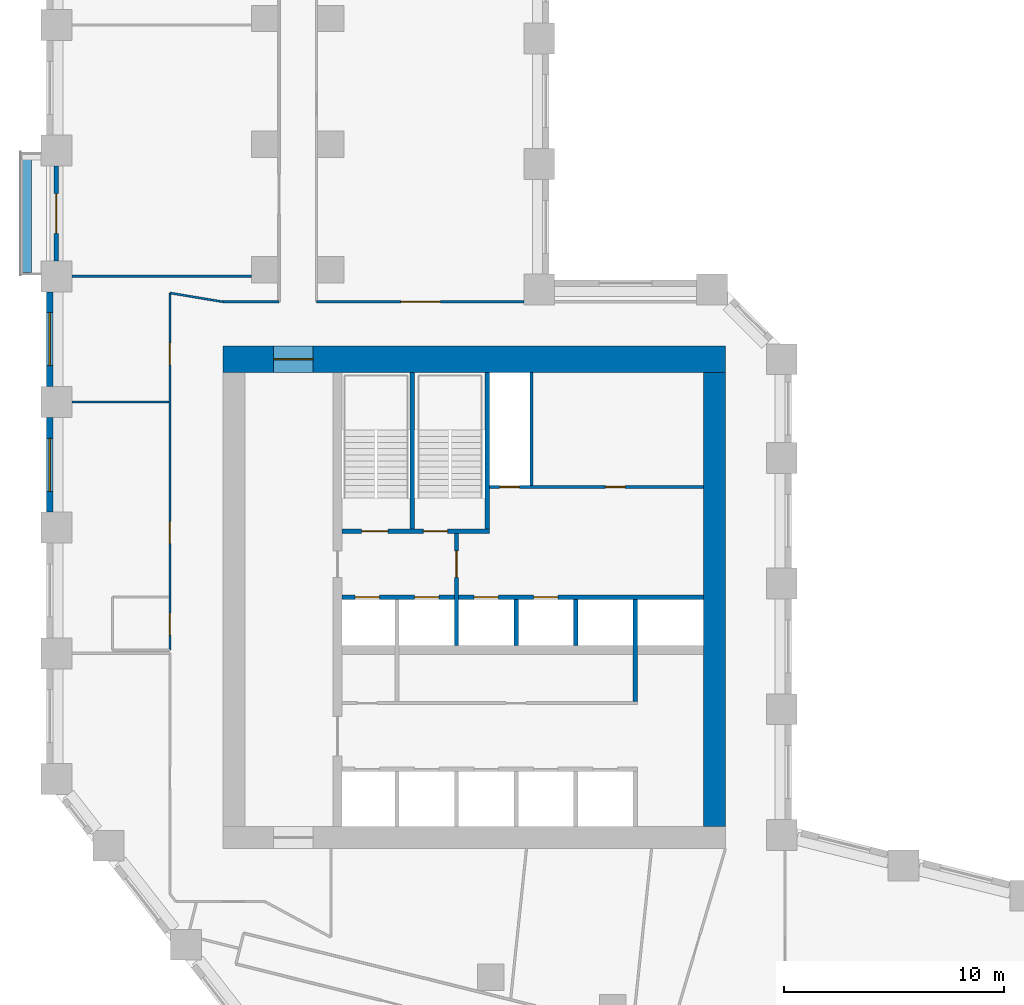
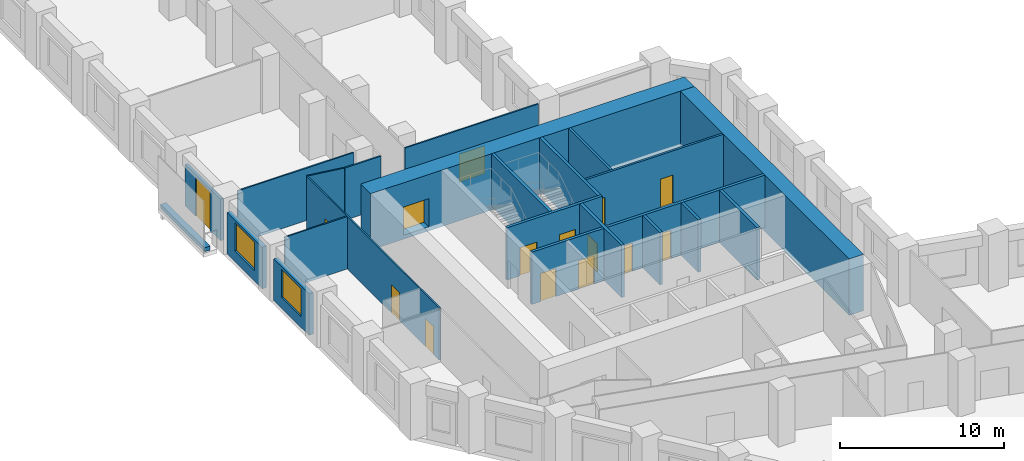
# One storey, part 5 of 11: 22 walls, 15 doors, 2 windows, 17 openings.
"""IFC4 building model written with IfcOpenShell, lengths in metres."""

from ifc_helpers import new_model, si_unit, direction, frame, frame_2d, origin, place, context, subcontext, project, spatial, rectangle, extrude, material, layer, layer_set, type_object, element, fill, save


model = new_model("IFC4")

# Units and contexts
model_context = context("Model", 3, precision=1e-05, world=origin(), true_north=direction((0.0, 1.0)))
body_context = subcontext(model_context, "Body", "Model", "MODEL_VIEW")
ifc_project = project(units=[si_unit("LENGTHUNIT", "METRE"), si_unit("AREAUNIT", "SQUARE_METRE"), si_unit("VOLUMEUNIT", "CUBIC_METRE"), si_unit("PLANEANGLEUNIT", "RADIAN"), si_unit("MASSUNIT", "GRAM", prefix="KILO")], contexts=[model_context])

# Site, building, storey
site_placement = place(None, origin())
site = spatial("IfcSite", under=ifc_project, at=site_placement, CompositionType="ELEMENT")
building_placement = place(site_placement, origin())
building = spatial("IfcBuilding", under=site, at=building_placement, Name="Meshkara Civic Tower", CompositionType="ELEMENT")
storey_placement = place(building_placement, frame((0.0, 0.0, 54.0)))
storey = spatial("IfcBuildingStorey", under=building, at=storey_placement, Name="L11", CompositionType="ELEMENT", Elevation=54.0)

# Wall, openings, doors
ifc_material_1 = material(Name="Blockwork", Category="masonry")
ifc_layer_1 = layer(ifc_material_1, 0.14990234375)
ifc_layer_set_1 = layer_set([ifc_layer_1], Name="Core partition 150")
wall_type_1 = type_object("IfcWallType", Name="Core partition 150", PredefinedType="PARTITIONING", material=ifc_layer_set_1)
wall_1_placement = place(storey_placement, frame((20.10009765625, 30.5, 0.0), z_axis=(0.0, 0.0, 1.0), x_axis=(1.0, 0.0, 0.0)))
wall_1 = element("IfcWall", 1, at=wall_1_placement, inside=storey, type_object=wall_type_1, Name="L11-C010", PredefinedType="PARTITIONING", context=body_context, shape_type="SweptSolid", body=[
    extrude(rectangle(XDim=9.699951171875, YDim=0.14990234375, at=frame_2d((4.85009765625, 0.0))), origin(), (0.0, 0.0, 1.0), 3.89990234375),
])
opening_1_placement = place(wall_1_placement, frame((0.449951171875, 0.0, 0.0)))
opening_1 = element("IfcOpeningElement", 2, at=opening_1_placement, cuts=wall_1, Name="Opening L11-K012", PredefinedType="OPENING", context=body_context, shape_type="SweptSolid", body=[
    extrude(rectangle(XDim=0.89990234375, YDim=2.10009765625, at=frame_2d((0.449951171875, 1.050048828125))), frame((0.0, 0.0849609375, 0.0), z_axis=(0.0, -1.0, 0.0), x_axis=(1.0, 0.0, 0.0)), (0.0, 0.0, 1.0), 0.169921875),
])
opening_2_placement = place(wall_1_placement, frame((5.25, 0.0, 0.0)))
opening_2 = element("IfcOpeningElement", 3, at=opening_2_placement, cuts=wall_1, Name="Opening L11-K013", PredefinedType="OPENING", context=body_context, shape_type="SweptSolid", body=[
    extrude(rectangle(XDim=0.89990234375, YDim=2.10009765625, at=frame_2d((0.449951171875, 1.050048828125))), frame((0.0, 0.0849609375, 0.0), z_axis=(0.0, -1.0, 0.0), x_axis=(1.0, 0.0, 0.0)), (0.0, 0.0, 1.0), 0.169921875),
])
ifc_material_2 = material(Name="Timber door leaf in steel frame", Category="steel")
door_type_1 = type_object("IfcDoorType", Name="Core room door 900", OperationType="SINGLE_SWING_LEFT", PredefinedType="DOOR", material=ifc_material_2)
door_1_placement = place(opening_2_placement, origin())
door_1 = element("IfcDoor", 4, at=door_1_placement, inside=storey, type_object=door_type_1, Name="L11-K013", OperationType="SINGLE_SWING_LEFT", OverallHeight=2.10009765625, OverallWidth=0.89990234375, PredefinedType="DOOR", context=body_context, shape_type="SweptSolid", body=[
    extrude(rectangle(XDim=0.89990234375, YDim=2.10009765625, at=frame_2d((0.449951171875, 1.050048828125))), frame((0.0, 0.02490234375, 0.0), z_axis=(0.0, -1.0, 0.0), x_axis=(1.0, 0.0, 0.0)), (0.0, 0.0, 1.0), 0.050048828125),
])
fill(opening_2, door_1)
ifc_material_3 = material(Name="Fire-rated door leaf in steel frame", Category="steel")
door_type_2 = type_object("IfcDoorType", Name="Riser door 900", OperationType="SINGLE_SWING_LEFT", PredefinedType="DOOR", material=ifc_material_3)
door_2_placement = place(opening_1_placement, origin())
door_2 = element("IfcDoor", 5, at=door_2_placement, inside=storey, type_object=door_type_2, Name="L11-K012", OperationType="SINGLE_SWING_RIGHT", OverallHeight=2.10009765625, OverallWidth=0.89990234375, PredefinedType="DOOR", context=body_context, shape_type="SweptSolid", body=[
    extrude(rectangle(XDim=0.89990234375, YDim=2.10009765625, at=frame_2d((0.449951171875, 1.050048828125))), frame((0.0, 0.02490234375, 0.0), z_axis=(0.0, -1.0, 0.0), x_axis=(1.0, 0.0, 0.0)), (0.0, 0.0, 1.0), 0.050048828125),
])
fill(opening_1, door_2)

# Walls
wall_2_placement = place(storey_placement, frame((22.0, 30.574951171875, 0.0), z_axis=(0.0, 0.0, 1.0), x_axis=(0.0, 1.0, 0.0)))
element("IfcWall", 6, at=wall_2_placement, inside=storey, type_object=wall_type_1, Name="L11-C020", PredefinedType="PARTITIONING", context=body_context, shape_type="SweptSolid", body=[
    extrude(rectangle(XDim=5.125, YDim=0.14990234375, at=frame_2d((2.5625, 0.0))), origin(), (0.0, 0.0, 1.0), 3.89990234375),
])
ifc_material_4 = material(Name="Concrete C80", Category="concrete")
ifc_layer_2 = layer(ifc_material_4, 1.0)
ifc_layer_set_2 = layer_set([ifc_layer_2], Name="Core ring wall 1000 C80")
wall_type_2 = type_object("IfcWallType", Name="Core ring wall 1000 C80", PredefinedType="SHEAR", material=ifc_layer_set_2)
wall_3_placement = place(storey_placement, frame((30.300048828125, 15.10009765625, -0.300048828125), z_axis=(0.0, 0.0, 1.0), x_axis=(0.0, 1.0, 0.0)))
element("IfcWall", 7, at=wall_3_placement, inside=storey, type_object=wall_type_2, Name="L11-C004", PredefinedType="SHEAR", context=body_context, shape_type="SweptSolid", body=[
    extrude(rectangle(XDim=20.599853515625, YDim=1.0, at=frame_2d((10.2998046875, 0.0))), origin(), (0.0, 0.0, 1.0), 4.199951171875),
])

# Wall, opening, door
ifc_material_5 = material(Name="Concrete C80", Category="concrete")
ifc_layer_3 = layer(ifc_material_5, 1.199951171875)
ifc_layer_set_3 = layer_set([ifc_layer_3], Name="Core ring wall 1200 C80")
wall_type_3 = type_object("IfcWallType", Name="Core ring wall 1200 C80", PredefinedType="SHEAR", material=ifc_layer_set_3)
wall_4_placement = place(storey_placement, frame((8.0, 36.300048828125, -0.300048828125), z_axis=(0.0, 0.0, 1.0), x_axis=(1.0, 0.0, 0.0)))
wall_4 = element("IfcWall", 8, at=wall_4_placement, inside=storey, type_object=wall_type_3, Name="L11-C002", PredefinedType="SHEAR", context=body_context, shape_type="SweptSolid", body=[
    extrude(rectangle(XDim=22.800048828125, YDim=1.199951171875, at=frame_2d((11.39990234375, 0.0))), origin(), (0.0, 0.0, 1.0), 4.199951171875),
])
opening_3_placement = place(wall_4_placement, frame((2.300048828125, 0.0, 0.300048828125)))
opening_3 = element("IfcOpeningElement", 9, at=opening_3_placement, cuts=wall_4, Name="Opening L11-K019", PredefinedType="OPENING", context=body_context, shape_type="SweptSolid", body=[
    extrude(rectangle(XDim=1.800048828125, YDim=2.10009765625, at=frame_2d((0.89990234375, 1.050048828125))), frame((0.0, 0.60986328125, 0.0), z_axis=(0.0, -1.0, 0.0), x_axis=(1.0, 0.0, 0.0)), (0.0, 0.0, 1.0), 1.219970703125),
])
ifc_material_6 = material(Name="Fire-rated door leaf in steel frame", Category="steel")
door_type_3 = type_object("IfcDoorType", Name="Core double door 1800 EI 60", OperationType="DOUBLE_DOOR_SINGLE_SWING", PredefinedType="DOOR", material=ifc_material_6)
door_3_placement = place(opening_3_placement, origin())
door_3 = element("IfcDoor", 10, at=door_3_placement, inside=storey, type_object=door_type_3, Name="L11-K019", OperationType="DOUBLE_DOOR_SINGLE_SWING", OverallHeight=2.10009765625, OverallWidth=1.800048828125, PredefinedType="DOOR", context=body_context, shape_type="SweptSolid", body=[
    extrude(rectangle(XDim=1.800048828125, YDim=2.10009765625, at=frame_2d((0.89990234375, 1.050048828125))), frame((0.0, 0.02490234375, 0.0), z_axis=(0.0, -1.0, 0.0), x_axis=(1.0, 0.0, 0.0)), (0.0, 0.0, 1.0), 0.050048828125),
])
fill(opening_3, door_3)

# Wall, openings, doors
ifc_material_7 = material(Name="Corridor wall 100")
ifc_layer_4 = layer(ifc_material_7, 0.10009765625)
ifc_layer_set_4 = layer_set([ifc_layer_4], Name="Corridor wall 100")
wall_type_4 = type_object("IfcWallType", Name="Corridor wall 100", PredefinedType="PARTITIONING", material=ifc_layer_set_4)
wall_5_placement = place(storey_placement, frame((5.60009765625, 23.10498046875, 0.0), z_axis=(0.0, 0.0, 1.0), x_axis=(0.0, 1.0, 0.0)))
wall_5 = element("IfcWall", 11, at=wall_5_placement, inside=storey, type_object=wall_type_4, Name="L11-W005", PredefinedType="PARTITIONING", context=body_context, shape_type="SweptSolid", body=[
    extrude(rectangle(XDim=16.195068359375, YDim=0.10009765625, at=frame_2d((8.09765625, 0.0))), origin(), (0.0, 0.0, 1.0), 3.89990234375),
])
opening_4_placement = place(wall_5_placement, frame((4.830078125, 0.0, 0.0)))
opening_4 = element("IfcOpeningElement", 12, at=opening_4_placement, cuts=wall_5, Name="Opening L11-D018", PredefinedType="OPENING", context=body_context, shape_type="SweptSolid", body=[
    extrude(rectangle(XDim=1.0, YDim=2.10009765625, at=frame_2d((0.5, 1.050048828125))), frame((0.0, 0.06005859375, 0.0), z_axis=(0.0, -1.0, 0.0), x_axis=(1.0, 0.0, 0.0)), (0.0, 0.0, 1.0), 0.1201171875),
])
opening_5_placement = place(wall_5_placement, frame((0.679931640625, 0.0, 0.0)))
opening_5 = element("IfcOpeningElement", 13, at=opening_5_placement, cuts=wall_5, Name="Opening L11-D019", PredefinedType="OPENING", context=body_context, shape_type="SweptSolid", body=[
    extrude(rectangle(XDim=1.0, YDim=2.10009765625, at=frame_2d((0.5, 1.050048828125))), frame((0.0, 0.06005859375, 0.0), z_axis=(0.0, -1.0, 0.0), x_axis=(1.0, 0.0, 0.0)), (0.0, 0.0, 1.0), 0.1201171875),
])
opening_6_placement = place(wall_5_placement, frame((12.929931640625, 0.0, 0.0)))
opening_6 = element("IfcOpeningElement", 14, at=opening_6_placement, cuts=wall_5, Name="Opening L11-D020", PredefinedType="OPENING", context=body_context, shape_type="SweptSolid", body=[
    extrude(rectangle(XDim=1.0, YDim=2.10009765625, at=frame_2d((0.5, 1.050048828125))), frame((0.0, 0.06005859375, 0.0), z_axis=(0.0, -1.0, 0.0), x_axis=(1.0, 0.0, 0.0)), (0.0, 0.0, 1.0), 0.1201171875),
])
ifc_material_8 = material(Name="Door 1000 x 2100")
door_type_4 = type_object("IfcDoorType", Name="Door 1000 x 2100", OperationType="SINGLE_SWING_LEFT", PredefinedType="DOOR", material=ifc_material_8)
door_4_placement = place(opening_4_placement, origin())
door_4 = element("IfcDoor", 15, at=door_4_placement, inside=storey, type_object=door_type_4, Name="L11-D018", OperationType="SINGLE_SWING_LEFT", OverallHeight=2.10009765625, OverallWidth=1.0, PredefinedType="DOOR", context=body_context, shape_type="SweptSolid", body=[
    extrude(rectangle(XDim=1.0, YDim=2.10009765625, at=frame_2d((0.5, 1.050048828125))), frame((0.0, 0.02490234375, 0.0), z_axis=(0.0, -1.0, 0.0), x_axis=(1.0, 0.0, 0.0)), (0.0, 0.0, 1.0), 0.050048828125),
])
fill(opening_4, door_4)
door_5_placement = place(opening_5_placement, origin())
door_5 = element("IfcDoor", 16, at=door_5_placement, inside=storey, type_object=door_type_4, Name="L11-D019", OperationType="SINGLE_SWING_LEFT", OverallHeight=2.10009765625, OverallWidth=1.0, PredefinedType="DOOR", context=body_context, shape_type="SweptSolid", body=[
    extrude(rectangle(XDim=1.0, YDim=2.10009765625, at=frame_2d((0.5, 1.050048828125))), frame((0.0, 0.02490234375, 0.0), z_axis=(0.0, -1.0, 0.0), x_axis=(1.0, 0.0, 0.0)), (0.0, 0.0, 1.0), 0.050048828125),
])
fill(opening_5, door_5)
door_6_placement = place(opening_6_placement, origin())
door_6 = element("IfcDoor", 17, at=door_6_placement, inside=storey, type_object=door_type_4, Name="L11-D020", OperationType="SINGLE_SWING_LEFT", OverallHeight=2.10009765625, OverallWidth=1.0, PredefinedType="DOOR", context=body_context, shape_type="SweptSolid", body=[
    extrude(rectangle(XDim=1.0, YDim=2.10009765625, at=frame_2d((0.5, 1.050048828125))), frame((0.0, 0.02490234375, 0.0), z_axis=(0.0, -1.0, 0.0), x_axis=(1.0, 0.0, 0.0)), (0.0, 0.0, 1.0), 0.050048828125),
])
fill(opening_6, door_6)

# Walls
wall_6_placement = place(storey_placement, frame((8.0, 38.89990234375, 0.0), z_axis=(0.0, 0.0, 1.0), x_axis=(-0.986383073668, 0.16446407505, 0.0)))
element("IfcWall", 18, at=wall_6_placement, inside=storey, type_object=wall_type_4, Name="L11-W008", PredefinedType="PARTITIONING", context=body_context, shape_type="SweptSolid", body=[
    extrude(rectangle(XDim=2.43310546875, YDim=0.10009765625, at=frame_2d((1.216552734375, 0.0))), origin(), (0.0, 0.0, 1.0), 3.89990234375),
])
wall_7_placement = place(storey_placement, frame((10.550048828125, 38.89990234375, 0.0), z_axis=(0.0, 0.0, 1.0), x_axis=(-1.0, 0.0, 0.0)))
element("IfcWall", 19, at=wall_7_placement, inside=storey, type_object=wall_type_4, Name="L11-W013", PredefinedType="PARTITIONING", context=body_context, shape_type="SweptSolid", body=[
    extrude(rectangle(XDim=2.550048828125, YDim=0.10009765625, at=frame_2d((1.27490234375, 0.0))), origin(), (0.0, 0.0, 1.0), 3.89990234375),
])

# Wall, opening, door
wall_8_placement = place(storey_placement, frame((21.64990234375, 38.89990234375, 0.0), z_axis=(0.0, 0.0, 1.0), x_axis=(-1.0, 0.0, 0.0)))
wall_8 = element("IfcWall", 20, at=wall_8_placement, inside=storey, type_object=wall_type_4, Name="L11-W020", PredefinedType="PARTITIONING", context=body_context, shape_type="SweptSolid", body=[
    extrude(rectangle(XDim=9.39990234375, YDim=0.10009765625, at=frame_2d((4.699951171875, 0.0))), origin(), (0.0, 0.0, 1.0), 3.89990234375),
])
opening_7_placement = place(wall_8_placement, frame((3.780029296875, 0.0, 0.0)))
opening_7 = element("IfcOpeningElement", 21, at=opening_7_placement, cuts=wall_8, Name="Opening L11-D021", PredefinedType="OPENING", context=body_context, shape_type="SweptSolid", body=[
    extrude(rectangle(XDim=1.800048828125, YDim=2.10009765625, at=frame_2d((0.89990234375, 1.050048828125))), frame((0.0, 0.06005859375, 0.0), z_axis=(0.0, -1.0, 0.0), x_axis=(1.0, 0.0, 0.0)), (0.0, 0.0, 1.0), 0.1201171875),
])
ifc_material_9 = material(Name="Door pair 1800 x 2100")
door_type_5 = type_object("IfcDoorType", Name="Door pair 1800 x 2100", OperationType="SINGLE_SWING_LEFT", PredefinedType="DOOR", material=ifc_material_9)
door_7_placement = place(opening_7_placement, origin())
door_7 = element("IfcDoor", 22, at=door_7_placement, inside=storey, type_object=door_type_5, Name="L11-D021", OperationType="DOUBLE_DOOR_SINGLE_SWING", OverallHeight=2.10009765625, OverallWidth=1.800048828125, PredefinedType="DOOR", context=body_context, shape_type="SweptSolid", body=[
    extrude(rectangle(XDim=1.800048828125, YDim=2.10009765625, at=frame_2d((0.89990234375, 1.050048828125))), frame((0.0, 0.02490234375, 0.0), z_axis=(0.0, -1.0, 0.0), x_axis=(1.0, 0.0, 0.0)), (0.0, 0.0, 1.0), 0.050048828125),
])
fill(opening_7, door_7)

# Wall, opening, window
ifc_material_10 = material(Name="Insulated infill panel with bronze anodised aluminium cladding", Category="aluminium")
ifc_layer_5 = layer(ifc_material_10, 0.300048828125)
ifc_layer_set_5 = layer_set([ifc_layer_5], Name="EXTERNAL INFILL WALL 300")
wall_type_5 = type_object("IfcWallType", Name="EXTERNAL INFILL WALL 300", PredefinedType="SOLIDWALL", material=ifc_layer_set_5)
wall_9_placement = place(storey_placement, frame((0.14990234375, 39.35498046875, 0.0), z_axis=(0.0, 0.0, 1.0), x_axis=(0.0, -1.0, 0.0)))
wall_9 = element("IfcWall", 23, at=wall_9_placement, inside=storey, type_object=wall_type_5, Name="External wall", PredefinedType="SOLIDWALL", context=body_context, shape_type="SweptSolid", body=[
    extrude(rectangle(XDim=4.300048828125, YDim=0.300048828125, at=frame_2d((2.14990234375, 0.0))), origin(), (0.0, 0.0, 1.0), 3.10009765625),
])
opening_8_placement = place(wall_9_placement, frame((0.949951171875, 0.0, 0.800048828125)))
opening_8 = element("IfcOpeningElement", 24, at=opening_8_placement, cuts=wall_9, Name="Opening W7", PredefinedType="OPENING", context=body_context, shape_type="SweptSolid", body=[
    extrude(rectangle(XDim=2.39990234375, YDim=2.10009765625, at=frame_2d((1.199951171875, 1.050048828125))), frame((0.0, 0.159912109375, 0.0), z_axis=(0.0, -1.0, 0.0), x_axis=(1.0, 0.0, 0.0)), (0.0, 0.0, 1.0), 0.320068359375),
])
ifc_material_11 = material(Name="Tinted double glazing", Category="glass")
window_type = type_object("IfcWindowType", Name="WINDOW 2400x2100", PartitioningType="DOUBLE_PANEL_VERTICAL", PredefinedType="WINDOW", material=ifc_material_11)
window_1_placement = place(opening_8_placement, origin())
window_1 = element("IfcWindow", 25, at=window_1_placement, inside=storey, type_object=window_type, Name="Window", OverallHeight=2.10009765625, OverallWidth=2.39990234375, PartitioningType="DOUBLE_PANEL_VERTICAL", PredefinedType="WINDOW", context=body_context, shape_type="SweptSolid", body=[
    extrude(rectangle(XDim=2.39990234375, YDim=2.10009765625, at=frame_2d((1.199951171875, 1.050048828125))), frame((0.0, 0.030029296875, 0.0), z_axis=(0.0, -1.0, 0.0), x_axis=(1.0, 0.0, 0.0)), (0.0, 0.0, 1.0), 0.06005859375),
])
fill(opening_8, window_1)

wall_10_placement = place(storey_placement, frame((0.14990234375, 33.655029296875, 0.0), z_axis=(0.0, 0.0, 1.0), x_axis=(0.0, -1.0, 0.0)))
wall_10 = element("IfcWall", 26, at=wall_10_placement, inside=storey, type_object=wall_type_5, Name="External wall", PredefinedType="SOLIDWALL", context=body_context, shape_type="SweptSolid", body=[
    extrude(rectangle(XDim=4.300048828125, YDim=0.300048828125, at=frame_2d((2.14990234375, 0.0))), origin(), (0.0, 0.0, 1.0), 3.10009765625),
])
opening_9_placement = place(wall_10_placement, frame((0.949951171875, 0.0, 0.800048828125)))
opening_9 = element("IfcOpeningElement", 27, at=opening_9_placement, cuts=wall_10, Name="Opening W7", PredefinedType="OPENING", context=body_context, shape_type="SweptSolid", body=[
    extrude(rectangle(XDim=2.39990234375, YDim=2.10009765625, at=frame_2d((1.199951171875, 1.050048828125))), frame((0.0, 0.159912109375, 0.0), z_axis=(0.0, -1.0, 0.0), x_axis=(1.0, 0.0, 0.0)), (0.0, 0.0, 1.0), 0.320068359375),
])
window_2_placement = place(opening_9_placement, origin())
window_2 = element("IfcWindow", 28, at=window_2_placement, inside=storey, type_object=window_type, Name="Window", OverallHeight=2.10009765625, OverallWidth=2.39990234375, PartitioningType="DOUBLE_PANEL_VERTICAL", PredefinedType="WINDOW", context=body_context, shape_type="SweptSolid", body=[
    extrude(rectangle(XDim=2.39990234375, YDim=2.10009765625, at=frame_2d((1.199951171875, 1.050048828125))), frame((0.0, 0.030029296875, 0.0), z_axis=(0.0, -1.0, 0.0), x_axis=(1.0, 0.0, 0.0)), (0.0, 0.0, 1.0), 0.06005859375),
])
fill(opening_9, window_2)

# Wall, opening, door
ifc_material_12 = material(Name="Insulated infill panel with bronze anodised aluminium cladding", Category="aluminium")
ifc_layer_6 = layer(ifc_material_12, 0.199951171875)
ifc_layer_set_6 = layer_set([ifc_layer_6], Name="LOGGIA BACK WALL 200")
wall_type_6 = type_object("IfcWallType", Name="LOGGIA BACK WALL 200", PredefinedType="SOLIDWALL", material=ifc_layer_set_6)
wall_11_placement = place(storey_placement, frame((0.449951171875, 45.053955078125, 0.0), z_axis=(0.0, 0.0, 1.0), x_axis=(0.0, -1.0, 0.0)))
wall_11 = element("IfcWall", 29, at=wall_11_placement, inside=storey, type_object=wall_type_6, Name="Loggia wall", PredefinedType="SOLIDWALL", context=body_context, shape_type="SweptSolid", body=[
    extrude(rectangle(XDim=4.2978515625, YDim=0.199951171875, at=frame_2d((2.14892578125, 0.0))), origin(), (0.0, 0.0, 1.0), 3.10009765625),
])
opening_10_placement = place(wall_11_placement, frame((1.2490234375, 0.0, 0.0)))
opening_10 = element("IfcOpeningElement", 30, at=opening_10_placement, cuts=wall_11, Name="Opening L11-L002", PredefinedType="OPENING", context=body_context, shape_type="SweptSolid", body=[
    extrude(rectangle(XDim=1.800048828125, YDim=2.89990234375, at=frame_2d((0.89990234375, 1.449951171875))), frame((0.0, 0.10986328125, 0.0), z_axis=(0.0, -1.0, 0.0), x_axis=(1.0, 0.0, 0.0)), (0.0, 0.0, 1.0), 0.219970703125),
])
ifc_material_13 = material(Name="Tinted double glazing", Category="glass")
door_type_6 = type_object("IfcDoorType", Name="LOGGIA DOOR 1800x2900", OperationType="DOUBLE_DOOR_SINGLE_SWING", PredefinedType="DOOR", material=ifc_material_13)
door_8_placement = place(opening_10_placement, origin())
door_8 = element("IfcDoor", 31, at=door_8_placement, inside=storey, type_object=door_type_6, Name="L11-L002", OperationType="DOUBLE_DOOR_SINGLE_SWING", OverallHeight=2.89990234375, OverallWidth=1.800048828125, PredefinedType="DOOR", context=body_context, shape_type="SweptSolid", body=[
    extrude(rectangle(XDim=1.800048828125, YDim=2.89990234375, at=frame_2d((0.89990234375, 1.449951171875))), frame((0.0, 0.02490234375, 0.0), z_axis=(0.0, -1.0, 0.0), x_axis=(1.0, 0.0, 0.0)), (0.0, 0.0, 1.0), 0.050048828125),
])
fill(opening_10, door_8)

# Walls
ifc_material_14 = material(Name="Concrete C40", Category="concrete")
ifc_layer_7 = layer(ifc_material_14, 0.39990234375)
ifc_layer_set_7 = layer_set([ifc_layer_7], Name="PLANTER TRAY")
wall_type_7 = type_object("IfcWallType", Name="PLANTER TRAY", PredefinedType="SOLIDWALL", material=ifc_layer_set_7)
wall_12_placement = place(storey_placement, frame((-0.8798828125, 45.5849609375, 0.0), z_axis=(0.0, 0.0, 1.0), x_axis=(0.0, -1.0, 0.0)))
element("IfcWall", 32, at=wall_12_placement, inside=storey, type_object=wall_type_7, Name="Planter", PredefinedType="SOLIDWALL", context=body_context, shape_type="SweptSolid", body=[
    extrude(rectangle(XDim=5.35986328125, YDim=0.39990234375, at=frame_2d((2.679931640625, 0.0))), origin(), (0.0, 0.0, 1.0), 0.300048828125),
])
ifc_material_15 = material(Name="Partition 100")
ifc_layer_8 = layer(ifc_material_15, 0.10009765625)
ifc_layer_set_8 = layer_set([ifc_layer_8], Name="Partition 100")
wall_type_8 = type_object("IfcWallType", Name="Partition 100", PredefinedType="PARTITIONING", material=ifc_layer_set_8)
wall_13_placement = place(storey_placement, frame((5.550048828125, 34.35498046875, 0.0), z_axis=(0.0, 0.0, 1.0), x_axis=(-1.0, 0.0, 0.0)))
element("IfcWall", 33, at=wall_13_placement, inside=storey, type_object=wall_type_8, Name="L11-W035", PredefinedType="PARTITIONING", context=body_context, shape_type="SweptSolid", body=[
    extrude(rectangle(XDim=4.400146484375, YDim=0.10009765625, at=frame_2d((2.2001953125, 0.0))), origin(), (0.0, 0.0, 1.0), 3.89990234375),
])
wall_14_placement = place(storey_placement, frame((9.300048828125, 40.054931640625, 0.0), z_axis=(0.0, 0.0, 1.0), x_axis=(-1.0, 0.0, 0.0)))
element("IfcWall", 34, at=wall_14_placement, inside=storey, type_object=wall_type_8, Name="L11-W040", PredefinedType="PARTITIONING", context=body_context, shape_type="SweptSolid", body=[
    extrude(rectangle(XDim=8.150146484375, YDim=0.10009765625, at=frame_2d((4.0751953125, 0.0))), origin(), (0.0, 0.0, 1.0), 3.89990234375),
])

# Wall, openings, doors
ifc_material_16 = material(Name="Concrete C40/50", Category="concrete")
ifc_layer_9 = layer(ifc_material_16, 0.199951171875)
ifc_layer_set_9 = layer_set([ifc_layer_9], Name="Shaft wall 200 C40/50")
wall_type_9 = type_object("IfcWallType", Name="Shaft wall 200 C40/50", PredefinedType="SOLIDWALL", material=ifc_layer_set_9)
wall_15_placement = place(storey_placement, frame((13.39990234375, 25.5, 0.0), z_axis=(0.0, 0.0, 1.0), x_axis=(1.0, 0.0, 0.0)))
wall_15 = element("IfcWall", 35, at=wall_15_placement, inside=storey, type_object=wall_type_9, Name="L11-C008", PredefinedType="SOLIDWALL", context=body_context, shape_type="SweptSolid", body=[
    extrude(rectangle(XDim=16.400146484375, YDim=0.199951171875, at=frame_2d((8.2001953125, 0.0))), origin(), (0.0, 0.0, 1.0), 3.89990234375),
])
opening_11_placement = place(wall_15_placement, frame((0.60009765625, 0.0, 0.0)))
opening_11 = element("IfcOpeningElement", 36, at=opening_11_placement, cuts=wall_15, Name="Opening L11-K006", PredefinedType="OPENING", context=body_context, shape_type="SweptSolid", body=[
    extrude(rectangle(XDim=1.10009765625, YDim=2.10009765625, at=frame_2d((0.550048828125, 1.050048828125))), frame((0.0, 0.10986328125, 0.0), z_axis=(0.0, -1.0, 0.0), x_axis=(1.0, 0.0, 0.0)), (0.0, 0.0, 1.0), 0.219970703125),
])
opening_12_placement = place(wall_15_placement, frame((3.300048828125, 0.0, 0.0)))
opening_12 = element("IfcOpeningElement", 37, at=opening_12_placement, cuts=wall_15, Name="Opening L11-K007", PredefinedType="OPENING", context=body_context, shape_type="SweptSolid", body=[
    extrude(rectangle(XDim=1.10009765625, YDim=2.10009765625, at=frame_2d((0.550048828125, 1.050048828125))), frame((0.0, 0.10986328125, 0.0), z_axis=(0.0, -1.0, 0.0), x_axis=(1.0, 0.0, 0.0)), (0.0, 0.0, 1.0), 0.219970703125),
])
opening_13_placement = place(wall_15_placement, frame((6.0, 0.0, 0.0)))
opening_13 = element("IfcOpeningElement", 38, at=opening_13_placement, cuts=wall_15, Name="Opening L11-K008", PredefinedType="OPENING", context=body_context, shape_type="SweptSolid", body=[
    extrude(rectangle(XDim=1.10009765625, YDim=2.10009765625, at=frame_2d((0.550048828125, 1.050048828125))), frame((0.0, 0.10986328125, 0.0), z_axis=(0.0, -1.0, 0.0), x_axis=(1.0, 0.0, 0.0)), (0.0, 0.0, 1.0), 0.219970703125),
])
opening_14_placement = place(wall_15_placement, frame((8.699951171875, 0.0, 0.0)))
opening_14 = element("IfcOpeningElement", 39, at=opening_14_placement, cuts=wall_15, Name="Opening L11-K009", PredefinedType="OPENING", context=body_context, shape_type="SweptSolid", body=[
    extrude(rectangle(XDim=1.10009765625, YDim=2.10009765625, at=frame_2d((0.550048828125, 1.050048828125))), frame((0.0, 0.10986328125, 0.0), z_axis=(0.0, -1.0, 0.0), x_axis=(1.0, 0.0, 0.0)), (0.0, 0.0, 1.0), 0.219970703125),
])
ifc_material_17 = material(Name="Stainless steel landing door", Category="steel")
door_type_7 = type_object("IfcDoorType", Name="Lift landing door 1100", OperationType="SLIDING_TO_LEFT", PredefinedType="DOOR", material=ifc_material_17)
door_9_placement = place(opening_11_placement, origin())
door_9 = element("IfcDoor", 40, at=door_9_placement, inside=storey, type_object=door_type_7, Name="L11-K006", OperationType="SLIDING_TO_LEFT", OverallHeight=2.10009765625, OverallWidth=1.10009765625, PredefinedType="DOOR", context=body_context, shape_type="SweptSolid", body=[
    extrude(rectangle(XDim=1.10009765625, YDim=2.10009765625, at=frame_2d((0.550048828125, 1.050048828125))), frame((0.0, 0.02490234375, 0.0), z_axis=(0.0, -1.0, 0.0), x_axis=(1.0, 0.0, 0.0)), (0.0, 0.0, 1.0), 0.050048828125),
])
fill(opening_11, door_9)
door_10_placement = place(opening_12_placement, origin())
door_10 = element("IfcDoor", 41, at=door_10_placement, inside=storey, type_object=door_type_7, Name="L11-K007", OperationType="SLIDING_TO_LEFT", OverallHeight=2.10009765625, OverallWidth=1.10009765625, PredefinedType="DOOR", context=body_context, shape_type="SweptSolid", body=[
    extrude(rectangle(XDim=1.10009765625, YDim=2.10009765625, at=frame_2d((0.550048828125, 1.050048828125))), frame((0.0, 0.02490234375, 0.0), z_axis=(0.0, -1.0, 0.0), x_axis=(1.0, 0.0, 0.0)), (0.0, 0.0, 1.0), 0.050048828125),
])
fill(opening_12, door_10)
door_11_placement = place(opening_13_placement, origin())
door_11 = element("IfcDoor", 42, at=door_11_placement, inside=storey, type_object=door_type_7, Name="L11-K008", OperationType="SLIDING_TO_LEFT", OverallHeight=2.10009765625, OverallWidth=1.10009765625, PredefinedType="DOOR", context=body_context, shape_type="SweptSolid", body=[
    extrude(rectangle(XDim=1.10009765625, YDim=2.10009765625, at=frame_2d((0.550048828125, 1.050048828125))), frame((0.0, 0.02490234375, 0.0), z_axis=(0.0, -1.0, 0.0), x_axis=(1.0, 0.0, 0.0)), (0.0, 0.0, 1.0), 0.050048828125),
])
fill(opening_13, door_11)
door_12_placement = place(opening_14_placement, origin())
door_12 = element("IfcDoor", 43, at=door_12_placement, inside=storey, type_object=door_type_7, Name="L11-K009", OperationType="SLIDING_TO_LEFT", OverallHeight=2.10009765625, OverallWidth=1.10009765625, PredefinedType="DOOR", context=body_context, shape_type="SweptSolid", body=[
    extrude(rectangle(XDim=1.10009765625, YDim=2.10009765625, at=frame_2d((0.550048828125, 1.050048828125))), frame((0.0, 0.02490234375, 0.0), z_axis=(0.0, -1.0, 0.0), x_axis=(1.0, 0.0, 0.0)), (0.0, 0.0, 1.0), 0.050048828125),
])
fill(opening_14, door_12)

# Wall, opening, door
wall_16_placement = place(storey_placement, frame((18.60009765625, 23.300048828125, 0.0), z_axis=(0.0, 0.0, 1.0), x_axis=(0.0, 1.0, 0.0)))
wall_16 = element("IfcWall", 44, at=wall_16_placement, inside=storey, type_object=wall_type_9, Name="L11-C016", PredefinedType="SOLIDWALL", context=body_context, shape_type="SweptSolid", body=[
    extrude(rectangle(XDim=5.099853515625, YDim=0.199951171875, at=frame_2d((2.5498046875, 0.0))), origin(), (0.0, 0.0, 1.0), 3.89990234375),
])
opening_15_placement = place(wall_16_placement, frame((3.10009765625, 0.0, 0.0)))
opening_15 = element("IfcOpeningElement", 45, at=opening_15_placement, cuts=wall_16, Name="Opening L11-K018", PredefinedType="OPENING", context=body_context, shape_type="SweptSolid", body=[
    extrude(rectangle(XDim=1.199951171875, YDim=2.10009765625, at=frame_2d((0.60009765625, 1.050048828125))), frame((0.0, 0.10986328125, 0.0), z_axis=(0.0, -1.0, 0.0), x_axis=(1.0, 0.0, 0.0)), (0.0, 0.0, 1.0), 0.219970703125),
])
ifc_material_18 = material(Name="Fire-rated door leaf in steel frame", Category="steel")
door_type_8 = type_object("IfcDoorType", Name="Fire-fighting lobby door 1200 EI 120", OperationType="SINGLE_SWING_LEFT", PredefinedType="DOOR", material=ifc_material_18)
door_13_placement = place(opening_15_placement, origin())
door_13 = element("IfcDoor", 46, at=door_13_placement, inside=storey, type_object=door_type_8, Name="L11-K018", OperationType="SINGLE_SWING_RIGHT", OverallHeight=2.10009765625, OverallWidth=1.199951171875, PredefinedType="DOOR", context=body_context, shape_type="SweptSolid", body=[
    extrude(rectangle(XDim=1.199951171875, YDim=2.10009765625, at=frame_2d((0.60009765625, 1.050048828125))), frame((0.0, 0.02490234375, 0.0), z_axis=(0.0, -1.0, 0.0), x_axis=(1.0, 0.0, 0.0)), (0.0, 0.0, 1.0), 0.050048828125),
])
fill(opening_15, door_13)

# Walls
for number, where, z_axis, x_axis, name in (
    (47, (21.300048828125, 23.300048828125, 0.0), (0.0, 0.0, 1.0), (0.0, 1.0, 0.0), "L11-C019"),
    (48, (24.0, 23.300048828125, 0.0), (0.0, 0.0, 1.0), (0.0, 1.0, 0.0), "L11-C022"),
):
    element("IfcWall", number, at=place(storey_placement, frame(where, z_axis=z_axis, x_axis=x_axis)), inside=storey, type_object=wall_type_9, Name=name, PredefinedType="SOLIDWALL", context=body_context, shape_type="SweptSolid", body=[
        extrude(rectangle(XDim=2.099853515625, YDim=0.199951171875, at=frame_2d((1.0498046875, 0.0))), origin(), (0.0, 0.0, 1.0), 3.89990234375),
    ])
wall_17_placement = place(storey_placement, frame((26.699951171875, 20.77490234375, 0.0), z_axis=(0.0, 0.0, 1.0), x_axis=(0.0, 1.0, 0.0)))
element("IfcWall", 49, at=wall_17_placement, inside=storey, type_object=wall_type_9, Name="L11-C024", PredefinedType="SOLIDWALL", context=body_context, shape_type="SweptSolid", body=[
    extrude(rectangle(XDim=4.625, YDim=0.199951171875, at=frame_2d((2.3125, 0.0))), origin(), (0.0, 0.0, 1.0), 3.89990234375),
])

# Wall, openings, doors
ifc_material_19 = material(Name="Concrete C40/50", Category="concrete")
ifc_layer_10 = layer(ifc_material_19, 0.199951171875)
ifc_layer_set_10 = layer_set([ifc_layer_10], Name="Stair enclosure wall 200 C40/50")
wall_type_10 = type_object("IfcWallType", Name="Stair enclosure wall 200 C40/50", PredefinedType="SOLIDWALL", material=ifc_layer_set_10)
wall_18_placement = place(storey_placement, frame((13.39990234375, 28.5, 0.0), z_axis=(0.0, 0.0, 1.0), x_axis=(1.0, 0.0, 0.0)))
wall_18 = element("IfcWall", 50, at=wall_18_placement, inside=storey, type_object=wall_type_10, Name="L11-C009", PredefinedType="SOLIDWALL", context=body_context, shape_type="SweptSolid", body=[
    extrude(rectangle(XDim=6.7001953125, YDim=0.199951171875, at=frame_2d((3.35009765625, 0.0))), origin(), (0.0, 0.0, 1.0), 3.89990234375),
])
opening_16_placement = place(wall_18_placement, frame((0.89990234375, 0.0, 0.0)))
opening_16 = element("IfcOpeningElement", 51, at=opening_16_placement, cuts=wall_18, Name="Opening L11-K014", PredefinedType="OPENING", context=body_context, shape_type="SweptSolid", body=[
    extrude(rectangle(XDim=1.199951171875, YDim=2.10009765625, at=frame_2d((0.60009765625, 1.050048828125))), frame((0.0, 0.10986328125, 0.0), z_axis=(0.0, -1.0, 0.0), x_axis=(1.0, 0.0, 0.0)), (0.0, 0.0, 1.0), 0.219970703125),
])
opening_17_placement = place(wall_18_placement, frame((3.699951171875, 0.0, 0.0)))
opening_17 = element("IfcOpeningElement", 52, at=opening_17_placement, cuts=wall_18, Name="Opening L11-K015", PredefinedType="OPENING", context=body_context, shape_type="SweptSolid", body=[
    extrude(rectangle(XDim=1.10009765625, YDim=2.10009765625, at=frame_2d((0.550048828125, 1.050048828125))), frame((0.0, 0.10986328125, 0.0), z_axis=(0.0, -1.0, 0.0), x_axis=(1.0, 0.0, 0.0)), (0.0, 0.0, 1.0), 0.219970703125),
])
ifc_material_20 = material(Name="Fire-rated door leaf in steel frame", Category="steel")
door_type_9 = type_object("IfcDoorType", Name="Stair door 1100 EI 120", OperationType="SINGLE_SWING_LEFT", PredefinedType="DOOR", material=ifc_material_20)
door_14_placement = place(opening_17_placement, origin())
door_14 = element("IfcDoor", 53, at=door_14_placement, inside=storey, type_object=door_type_9, Name="L11-K015", OperationType="SINGLE_SWING_LEFT", OverallHeight=2.10009765625, OverallWidth=1.10009765625, PredefinedType="DOOR", context=body_context, shape_type="SweptSolid", body=[
    extrude(rectangle(XDim=1.10009765625, YDim=2.10009765625, at=frame_2d((0.550048828125, 1.050048828125))), frame((0.0, 0.02490234375, 0.0), z_axis=(0.0, -1.0, 0.0), x_axis=(1.0, 0.0, 0.0)), (0.0, 0.0, 1.0), 0.050048828125),
])
fill(opening_17, door_14)
ifc_material_21 = material(Name="Fire-rated door leaf in steel frame", Category="steel")
door_type_10 = type_object("IfcDoorType", Name="Stair door 1200 EI 120", OperationType="SINGLE_SWING_LEFT", PredefinedType="DOOR", material=ifc_material_21)
door_15_placement = place(opening_16_placement, origin())
door_15 = element("IfcDoor", 54, at=door_15_placement, inside=storey, type_object=door_type_10, Name="L11-K014", OperationType="SINGLE_SWING_RIGHT", OverallHeight=2.10009765625, OverallWidth=1.199951171875, PredefinedType="DOOR", context=body_context, shape_type="SweptSolid", body=[
    extrude(rectangle(XDim=1.199951171875, YDim=2.10009765625, at=frame_2d((0.60009765625, 1.050048828125))), frame((0.0, 0.02490234375, 0.0), z_axis=(0.0, -1.0, 0.0), x_axis=(1.0, 0.0, 0.0)), (0.0, 0.0, 1.0), 0.050048828125),
])
fill(opening_16, door_15)

# Walls
for number, where, z_axis, x_axis, name in (
    (55, (16.60009765625, 28.60009765625, 0.0), (0.0, 0.0, 1.0), (0.0, 1.0, 0.0), "L11-C014"),
    (56, (20.0, 28.60009765625, 0.0), (0.0, 0.0, 1.0), (0.0, 1.0, 0.0), "L11-C017"),
):
    element("IfcWall", number, at=place(storey_placement, frame(where, z_axis=z_axis, x_axis=x_axis)), inside=storey, type_object=wall_type_10, Name=name, PredefinedType="SOLIDWALL", context=body_context, shape_type="SweptSolid", body=[
        extrude(rectangle(XDim=7.099853515625, YDim=0.199951171875, at=frame_2d((3.5498046875, 0.0))), origin(), (0.0, 0.0, 1.0), 3.89990234375),
    ])

save(model, "model.ifc")
